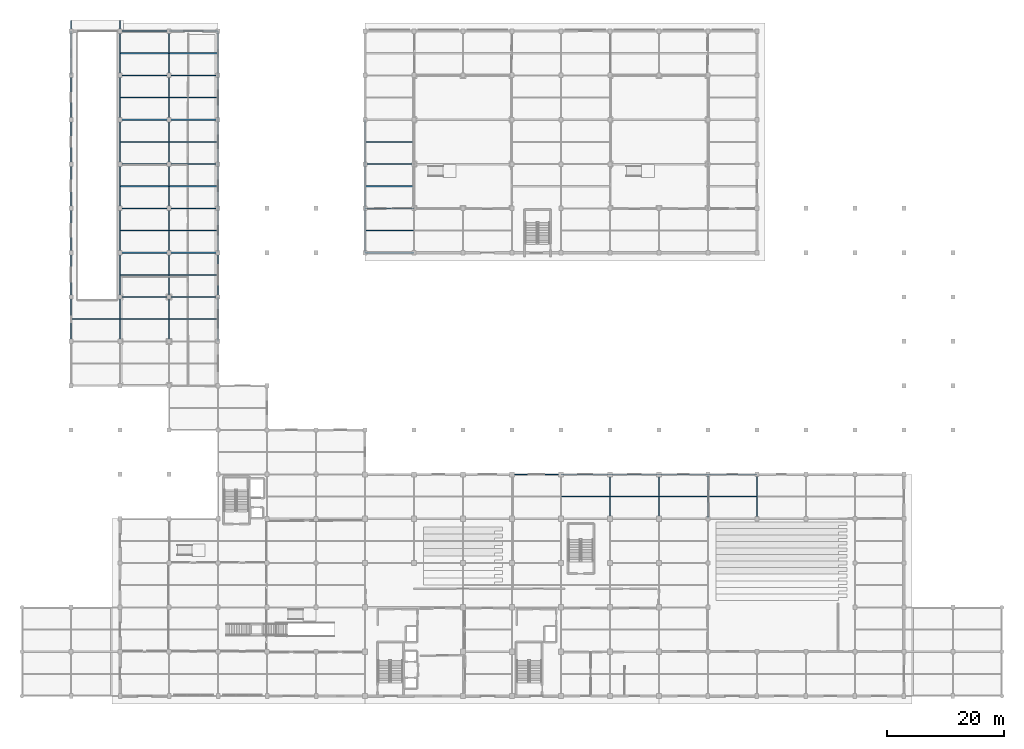
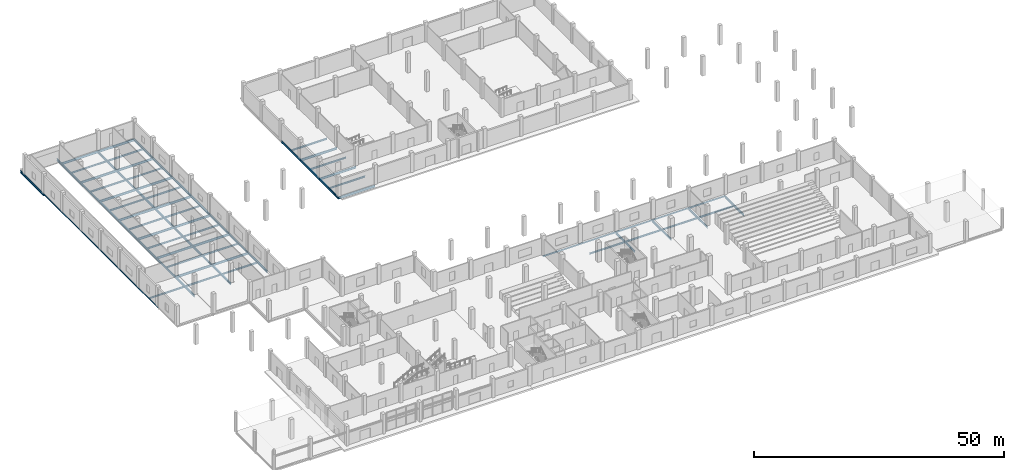
# One storey, part 8 of 36: 81 beams.
"""IFC4 building model written with IfcOpenShell, lengths in metres."""

from ifc_helpers import new_model, si_unit, direction, frame, origin, origin_2d, place, context, subcontext, project, spatial, hollow_rectangle, i_section, extrude, material, material_profile, profile_set, type_object, element, save


model = new_model("IFC4")

# Units and contexts
model_context = context("Model", 3, precision=1e-05, world=origin(), true_north=direction((0.0, 1.0)))
body_context = subcontext(model_context, "Body", "Model", "MODEL_VIEW")
ifc_project = project(units=[si_unit("LENGTHUNIT", "METRE"), si_unit("AREAUNIT", "SQUARE_METRE"), si_unit("VOLUMEUNIT", "CUBIC_METRE"), si_unit("PLANEANGLEUNIT", "RADIAN"), si_unit("MASSUNIT", "GRAM", prefix="KILO")], contexts=[model_context])

# Site, building, storey
site_placement = place(None, origin())
site = spatial("IfcSite", under=ifc_project, at=site_placement, CompositionType="ELEMENT")
building_placement = place(site_placement, origin())
building = spatial("IfcBuilding", under=site, at=building_placement, Name="Zuvorla Pavilion Media Centre", CompositionType="ELEMENT")
storey_placement = place(building_placement, origin())
storey = spatial("IfcBuildingStorey", under=building, at=storey_placement, Name="L00", CompositionType="ELEMENT", Elevation=0.0)

# Beams
ifc_material = material(Name="Steel S355", Category="steel")
ifc_material_profile_1 = material_profile(ifc_material, hollow_rectangle(XDim=0.14990234375, YDim=0.25, WallThickness=0.010009765625, at=origin_2d()), Name="RHS 250x150x10")
ifc_profile_set_1 = profile_set([ifc_material_profile_1], Name="Steel S355")
beam_type_1 = type_object("IfcBeamType", Name="BM-SP-RHS250", PredefinedType="SPANDREL", material=ifc_profile_set_1)
beam_1_placement = place(storey_placement, frame((16.39990234375, 66.800048828125, -0.452880859375), z_axis=(0.0, 1.0, 0.0), x_axis=(-1.0, 0.0, 0.0)))
element("IfcBeam", 1, at=beam_1_placement, inside=storey, type_object=beam_type_1, Name="L00 spandrel SP02 164", PredefinedType="SPANDREL", context=body_context, shape_type="SweptSolid", body=[
    extrude(hollow_rectangle(XDim=0.14990234375, YDim=0.25, WallThickness=0.010009765625, at=origin_2d()), origin(), (0.0, 0.0, 1.0), 7.599853515625),
])
for number, where, z_axis, x_axis, name in (
    (2, (16.39990234375, 74.39990234375, -0.452880859375), (0.0, 1.0, 0.0), (-1.0, 0.0, 0.0), "L00 spandrel SP02 165"),
    (3, (16.39990234375, 82.0, -0.452880859375), (0.0, 1.0, 0.0), (-1.0, 0.0, 0.0), "L00 spandrel SP02 166"),
):
    element("IfcBeam", number, at=place(storey_placement, frame(where, z_axis=z_axis, x_axis=x_axis)), inside=storey, type_object=beam_type_1, Name=name, PredefinedType="SPANDREL", context=body_context, shape_type="SweptSolid", body=[
        extrude(hollow_rectangle(XDim=0.14990234375, YDim=0.25, WallThickness=0.010009765625, at=origin_2d()), origin(), (0.0, 0.0, 1.0), 7.60009765625),
    ])
beam_2_placement = place(storey_placement, frame((16.39990234375, 89.60009765625, -0.452880859375), z_axis=(0.0, 1.0, 0.0), x_axis=(-1.0, 0.0, 0.0)))
element("IfcBeam", 4, at=beam_2_placement, inside=storey, type_object=beam_type_1, Name="L00 spandrel SP02 167", PredefinedType="SPANDREL", context=body_context, shape_type="SweptSolid", body=[
    extrude(hollow_rectangle(XDim=0.14990234375, YDim=0.25, WallThickness=0.010009765625, at=origin_2d()), origin(), (0.0, 0.0, 1.0), 7.599853515625),
])
beam_3_placement = place(storey_placement, frame((16.39990234375, 97.199951171875, -0.452880859375), z_axis=(0.0, 1.0, 0.0), x_axis=(-1.0, 0.0, 0.0)))
element("IfcBeam", 5, at=beam_3_placement, inside=storey, type_object=beam_type_1, Name="L00 spandrel SP02 168", PredefinedType="SPANDREL", context=body_context, shape_type="SweptSolid", body=[
    extrude(hollow_rectangle(XDim=0.14990234375, YDim=0.25, WallThickness=0.010009765625, at=origin_2d()), origin(), (0.0, 0.0, 1.0), 7.60009765625),
])
beam_4_placement = place(storey_placement, frame((16.39990234375, 104.800048828125, -0.452880859375), z_axis=(0.0, 1.0, 0.0), x_axis=(-1.0, 0.0, 0.0)))
element("IfcBeam", 6, at=beam_4_placement, inside=storey, type_object=beam_type_1, Name="L00 spandrel SP02 169", PredefinedType="SPANDREL", context=body_context, shape_type="SweptSolid", body=[
    extrude(hollow_rectangle(XDim=0.14990234375, YDim=0.25, WallThickness=0.010009765625, at=origin_2d()), origin(), (0.0, 0.0, 1.0), 7.599853515625),
])
ifc_material_profile_2 = material_profile(ifc_material, hollow_rectangle(XDim=0.199951171875, YDim=0.300048828125, WallThickness=0.012451171875, at=origin_2d()), Name="RHS 300x200x12.5")
ifc_profile_set_2 = profile_set([ifc_material_profile_2], Name="Steel S355")
beam_type_2 = type_object("IfcBeamType", Name="BM-SP-RHS300", PredefinedType="SPANDREL", material=ifc_profile_set_2)
beam_5_placement = place(storey_placement, frame((92.0, 44.0, -0.577880859375), z_axis=(1.0, 0.0, 0.0), x_axis=(0.0, 1.0, 0.0)))
element("IfcBeam", 7, at=beam_5_placement, inside=storey, type_object=beam_type_2, Name="L00 spandrel SP01 84", PredefinedType="SPANDREL", context=body_context, shape_type="SweptSolid", body=[
    extrude(hollow_rectangle(XDim=0.199951171875, YDim=0.300048828125, WallThickness=0.012451171875, at=origin_2d()), origin(), (0.0, 0.0, 1.0), 8.39990234375),
])
beam_6_placement = place(storey_placement, frame((100.39990234375, 44.0, -0.577880859375), z_axis=(1.0, 0.0, 0.0), x_axis=(0.0, 1.0, 0.0)))
element("IfcBeam", 8, at=beam_6_placement, inside=storey, type_object=beam_type_2, Name="L00 spandrel SP01 85", PredefinedType="SPANDREL", context=body_context, shape_type="SweptSolid", body=[
    extrude(hollow_rectangle(XDim=0.199951171875, YDim=0.300048828125, WallThickness=0.012451171875, at=origin_2d()), origin(), (0.0, 0.0, 1.0), 8.400146484375),
])
beam_7_placement = place(storey_placement, frame((108.800048828125, 44.0, -0.577880859375), z_axis=(1.0, 0.0, 0.0), x_axis=(0.0, 1.0, 0.0)))
element("IfcBeam", 9, at=beam_7_placement, inside=storey, type_object=beam_type_2, Name="L00 spandrel SP01 86", PredefinedType="SPANDREL", context=body_context, shape_type="SweptSolid", body=[
    extrude(hollow_rectangle(XDim=0.199951171875, YDim=0.300048828125, WallThickness=0.012451171875, at=origin_2d()), origin(), (0.0, 0.0, 1.0), 8.39990234375),
])
beam_8_placement = place(storey_placement, frame((117.199951171875, 44.0, -0.577880859375), z_axis=(1.0, 0.0, 0.0), x_axis=(0.0, 1.0, 0.0)))
element("IfcBeam", 10, at=beam_8_placement, inside=storey, type_object=beam_type_2, Name="L00 spandrel SP01 87", PredefinedType="SPANDREL", context=body_context, shape_type="SweptSolid", body=[
    extrude(hollow_rectangle(XDim=0.199951171875, YDim=0.300048828125, WallThickness=0.012451171875, at=origin_2d()), origin(), (0.0, 0.0, 1.0), 8.400146484375),
])
beam_9_placement = place(storey_placement, frame((125.60009765625, 44.0, -0.577880859375), z_axis=(1.0, 0.0, 0.0), x_axis=(0.0, 1.0, 0.0)))
element("IfcBeam", 11, at=beam_9_placement, inside=storey, type_object=beam_type_2, Name="L00 spandrel SP01 88", PredefinedType="SPANDREL", context=body_context, shape_type="SweptSolid", body=[
    extrude(hollow_rectangle(XDim=0.199951171875, YDim=0.300048828125, WallThickness=0.012451171875, at=origin_2d()), origin(), (0.0, 0.0, 1.0), 8.39990234375),
])
ifc_material_profile_3 = material_profile(ifc_material, i_section(OverallWidth=0.1787109375, OverallDepth=0.409423828125, WebThickness=0.0087890625, FlangeThickness=0.014404296875, FilletRadius=0.01025390625, at=origin_2d()), Name="UB 406x178x67")
ifc_profile_set_3 = profile_set([ifc_material_profile_3], Name="Steel S355")
beam_type_3 = type_object("IfcBeamType", Name="BM-UB406", PredefinedType="JOIST", material=ifc_profile_set_3)
beam_10_placement = place(storey_placement, frame((16.47998046875, 70.60009765625, -0.53271484375), z_axis=(1.0, 0.0, 0.0), x_axis=(0.0, 1.0, 0.0)))
element("IfcBeam", 12, at=beam_10_placement, inside=storey, type_object=beam_type_3, Name="L00 joist J02 322", PredefinedType="JOIST", context=body_context, shape_type="SweptSolid", body=[
    extrude(i_section(OverallWidth=0.1787109375, OverallDepth=0.409423828125, WebThickness=0.0087890625, FlangeThickness=0.014404296875, FilletRadius=0.01025390625, at=origin_2d()), origin(), (0.0, 0.0, 1.0), 8.219970703125),
])
for number, where, z_axis, x_axis, name in (
    (13, (24.89990234375, 70.60009765625, -0.53271484375), (1.0, 0.0, 0.0), (0.0, 1.0, 0.0), "L00 joist J02 328"),
    (14, (24.89990234375, 78.199951171875, -0.53271484375), (1.0, 0.0, 0.0), (0.0, 1.0, 0.0), "L00 joist J02 329"),
    (15, (24.89990234375, 85.800048828125, -0.53271484375), (1.0, 0.0, 0.0), (0.0, 1.0, 0.0), "L00 joist J02 330"),
    (16, (24.89990234375, 93.39990234375, -0.53271484375), (1.0, 0.0, 0.0), (0.0, 1.0, 0.0), "L00 joist J02 331"),
    (17, (24.89990234375, 101.0, -0.53271484375), (1.0, 0.0, 0.0), (0.0, 1.0, 0.0), "L00 joist J02 332"),
    (18, (24.89990234375, 108.60009765625, -0.53271484375), (1.0, 0.0, 0.0), (0.0, 1.0, 0.0), "L00 joist J02 333"),
    (19, (24.89990234375, 116.199951171875, -0.53271484375), (1.0, 0.0, 0.0), (0.0, 1.0, 0.0), "L00 joist J02 334"),
):
    element("IfcBeam", number, at=place(storey_placement, frame(where, z_axis=z_axis, x_axis=x_axis)), inside=storey, type_object=beam_type_3, Name=name, PredefinedType="JOIST", context=body_context, shape_type="SweptSolid", body=[
        extrude(i_section(OverallWidth=0.1787109375, OverallDepth=0.409423828125, WebThickness=0.0087890625, FlangeThickness=0.014404296875, FilletRadius=0.01025390625, at=origin_2d()), origin(), (0.0, 0.0, 1.0), 8.2001953125),
    ])
for number, where, z_axis, x_axis, name in (
    (20, (33.300048828125, 70.60009765625, -0.53271484375), (1.0, 0.0, 0.0), (0.0, 1.0, 0.0), "L00 joist J02 341"),
    (21, (33.300048828125, 78.199951171875, -0.53271484375), (1.0, 0.0, 0.0), (0.0, 1.0, 0.0), "L00 joist J02 342"),
    (22, (33.300048828125, 85.800048828125, -0.53271484375), (1.0, 0.0, 0.0), (0.0, 1.0, 0.0), "L00 joist J02 343"),
    (23, (33.300048828125, 93.39990234375, -0.53271484375), (1.0, 0.0, 0.0), (0.0, 1.0, 0.0), "L00 joist J02 344"),
    (24, (33.300048828125, 101.0, -0.53271484375), (1.0, 0.0, 0.0), (0.0, 1.0, 0.0), "L00 joist J02 345"),
    (25, (33.300048828125, 108.60009765625, -0.53271484375), (1.0, 0.0, 0.0), (0.0, 1.0, 0.0), "L00 joist J02 346"),
    (26, (33.300048828125, 116.199951171875, -0.53271484375), (1.0, 0.0, 0.0), (0.0, 1.0, 0.0), "L00 joist J02 347"),
):
    element("IfcBeam", number, at=place(storey_placement, frame(where, z_axis=z_axis, x_axis=x_axis)), inside=storey, type_object=beam_type_3, Name=name, PredefinedType="JOIST", context=body_context, shape_type="SweptSolid", body=[
        extrude(i_section(OverallWidth=0.1787109375, OverallDepth=0.409423828125, WebThickness=0.0087890625, FlangeThickness=0.014404296875, FilletRadius=0.01025390625, at=origin_2d()), origin(), (0.0, 0.0, 1.0), 8.199951171875),
    ])
for number, where, z_axis, x_axis, name in (
    (27, (66.89990234375, 85.800048828125, -0.53271484375), (1.0, 0.0, 0.0), (0.0, 1.0, 0.0), "L00 joist J02 365"),
    (28, (66.89990234375, 93.39990234375, -0.53271484375), (1.0, 0.0, 0.0), (0.0, 1.0, 0.0), "L00 joist J02 366"),
    (29, (66.89990234375, 101.0, -0.53271484375), (1.0, 0.0, 0.0), (0.0, 1.0, 0.0), "L00 joist J02 367"),
):
    element("IfcBeam", number, at=place(storey_placement, frame(where, z_axis=z_axis, x_axis=x_axis)), inside=storey, type_object=beam_type_3, Name=name, PredefinedType="JOIST", context=body_context, shape_type="SweptSolid", body=[
        extrude(i_section(OverallWidth=0.1787109375, OverallDepth=0.409423828125, WebThickness=0.0087890625, FlangeThickness=0.014404296875, FilletRadius=0.01025390625, at=origin_2d()), origin(), (0.0, 0.0, 1.0), 8.2001953125),
    ])
beam_11_placement = place(storey_placement, frame((100.5, 40.199951171875, -0.6328125), z_axis=(1.0, 0.0, 0.0), x_axis=(0.0, 1.0, 0.0)))
element("IfcBeam", 30, at=beam_11_placement, inside=storey, type_object=beam_type_3, Name="L00 joist J02 391", PredefinedType="JOIST", context=body_context, shape_type="SweptSolid", body=[
    extrude(i_section(OverallWidth=0.1787109375, OverallDepth=0.409423828125, WebThickness=0.0087890625, FlangeThickness=0.014404296875, FilletRadius=0.01025390625, at=origin_2d()), origin(), (0.0, 0.0, 1.0), 8.199951171875),
])
beam_12_placement = place(storey_placement, frame((108.89990234375, 40.199951171875, -0.6328125), z_axis=(1.0, 0.0, 0.0), x_axis=(0.0, 1.0, 0.0)))
element("IfcBeam", 31, at=beam_12_placement, inside=storey, type_object=beam_type_3, Name="L00 joist J02 401", PredefinedType="JOIST", context=body_context, shape_type="SweptSolid", body=[
    extrude(i_section(OverallWidth=0.1787109375, OverallDepth=0.409423828125, WebThickness=0.0087890625, FlangeThickness=0.014404296875, FilletRadius=0.01025390625, at=origin_2d()), origin(), (0.0, 0.0, 1.0), 8.2001953125),
])
for number, where, z_axis, x_axis, name in (
    (32, (117.300048828125, 40.199951171875, -0.6328125), (1.0, 0.0, 0.0), (0.0, 1.0, 0.0), "L00 joist J02 408"),
    (33, (125.699951171875, 40.199951171875, -0.6328125), (1.0, 0.0, 0.0), (0.0, 1.0, 0.0), "L00 joist J02 412"),
):
    element("IfcBeam", number, at=place(storey_placement, frame(where, z_axis=z_axis, x_axis=x_axis)), inside=storey, type_object=beam_type_3, Name=name, PredefinedType="JOIST", context=body_context, shape_type="SweptSolid", body=[
        extrude(i_section(OverallWidth=0.1787109375, OverallDepth=0.409423828125, WebThickness=0.0087890625, FlangeThickness=0.014404296875, FilletRadius=0.01025390625, at=origin_2d()), origin(), (0.0, 0.0, 1.0), 8.199951171875),
    ])
ifc_material_profile_4 = material_profile(ifc_material, i_section(OverallWidth=0.2099609375, OverallDepth=0.53662109375, WebThickness=0.0107421875, FlangeThickness=0.017333984375, FilletRadius=0.0126953125, at=origin_2d()), Name="UB 533x210x101")
ifc_profile_set_4 = profile_set([ifc_material_profile_4], Name="Steel S355")
beam_type_4 = type_object("IfcBeamType", Name="BM-UB533", PredefinedType="BEAM", material=ifc_profile_set_4)
beam_13_placement = place(storey_placement, frame((24.800048828125, 74.39990234375, -0.59619140625), z_axis=(1.0, 0.0, 0.0), x_axis=(0.0, 1.0, 0.0)))
element("IfcBeam", 34, at=beam_13_placement, inside=storey, type_object=beam_type_4, Name="L00 beam B08 103", PredefinedType="BEAM", context=body_context, shape_type="SweptSolid", body=[
    extrude(i_section(OverallWidth=0.2099609375, OverallDepth=0.53662109375, WebThickness=0.0107421875, FlangeThickness=0.017333984375, FilletRadius=0.0126953125, at=origin_2d()), origin(), (0.0, 0.0, 1.0), 8.39990234375),
])
beam_14_placement = place(storey_placement, frame((33.199951171875, 74.39990234375, -0.59619140625), z_axis=(1.0, 0.0, 0.0), x_axis=(0.0, 1.0, 0.0)))
element("IfcBeam", 35, at=beam_14_placement, inside=storey, type_object=beam_type_4, Name="L00 beam B08 104", PredefinedType="BEAM", context=body_context, shape_type="SweptSolid", body=[
    extrude(i_section(OverallWidth=0.2099609375, OverallDepth=0.53662109375, WebThickness=0.0107421875, FlangeThickness=0.017333984375, FilletRadius=0.0126953125, at=origin_2d()), origin(), (0.0, 0.0, 1.0), 8.400146484375),
])
beam_15_placement = place(storey_placement, frame((24.800048828125, 82.0, -0.59619140625), z_axis=(1.0, 0.0, 0.0), x_axis=(0.0, 1.0, 0.0)))
element("IfcBeam", 36, at=beam_15_placement, inside=storey, type_object=beam_type_4, Name="L00 beam B08 105", PredefinedType="BEAM", context=body_context, shape_type="SweptSolid", body=[
    extrude(i_section(OverallWidth=0.2099609375, OverallDepth=0.53662109375, WebThickness=0.0107421875, FlangeThickness=0.017333984375, FilletRadius=0.0126953125, at=origin_2d()), origin(), (0.0, 0.0, 1.0), 8.39990234375),
])
beam_16_placement = place(storey_placement, frame((33.199951171875, 82.0, -0.59619140625), z_axis=(1.0, 0.0, 0.0), x_axis=(0.0, 1.0, 0.0)))
element("IfcBeam", 37, at=beam_16_placement, inside=storey, type_object=beam_type_4, Name="L00 beam B08 106", PredefinedType="BEAM", context=body_context, shape_type="SweptSolid", body=[
    extrude(i_section(OverallWidth=0.2099609375, OverallDepth=0.53662109375, WebThickness=0.0107421875, FlangeThickness=0.017333984375, FilletRadius=0.0126953125, at=origin_2d()), origin(), (0.0, 0.0, 1.0), 8.400146484375),
])
for number, where, z_axis, x_axis, name in (
    (38, (66.800048828125, 82.0, -0.59619140625), (1.0, 0.0, 0.0), (0.0, 1.0, 0.0), "L00 beam B08 107"),
    (39, (24.800048828125, 89.60009765625, -0.59619140625), (1.0, 0.0, 0.0), (0.0, 1.0, 0.0), "L00 beam B08 114"),
):
    element("IfcBeam", number, at=place(storey_placement, frame(where, z_axis=z_axis, x_axis=x_axis)), inside=storey, type_object=beam_type_4, Name=name, PredefinedType="BEAM", context=body_context, shape_type="SweptSolid", body=[
        extrude(i_section(OverallWidth=0.2099609375, OverallDepth=0.53662109375, WebThickness=0.0107421875, FlangeThickness=0.017333984375, FilletRadius=0.0126953125, at=origin_2d()), origin(), (0.0, 0.0, 1.0), 8.39990234375),
    ])
beam_17_placement = place(storey_placement, frame((33.199951171875, 89.60009765625, -0.59619140625), z_axis=(1.0, 0.0, 0.0), x_axis=(0.0, 1.0, 0.0)))
element("IfcBeam", 40, at=beam_17_placement, inside=storey, type_object=beam_type_4, Name="L00 beam B08 115", PredefinedType="BEAM", context=body_context, shape_type="SweptSolid", body=[
    extrude(i_section(OverallWidth=0.2099609375, OverallDepth=0.53662109375, WebThickness=0.0107421875, FlangeThickness=0.017333984375, FilletRadius=0.0126953125, at=origin_2d()), origin(), (0.0, 0.0, 1.0), 8.400146484375),
])
for number, where, z_axis, x_axis, name in (
    (41, (66.800048828125, 89.60009765625, -0.59619140625), (1.0, 0.0, 0.0), (0.0, 1.0, 0.0), "L00 beam B08 116"),
    (42, (24.800048828125, 97.199951171875, -0.59619140625), (1.0, 0.0, 0.0), (0.0, 1.0, 0.0), "L00 beam B08 123"),
):
    element("IfcBeam", number, at=place(storey_placement, frame(where, z_axis=z_axis, x_axis=x_axis)), inside=storey, type_object=beam_type_4, Name=name, PredefinedType="BEAM", context=body_context, shape_type="SweptSolid", body=[
        extrude(i_section(OverallWidth=0.2099609375, OverallDepth=0.53662109375, WebThickness=0.0107421875, FlangeThickness=0.017333984375, FilletRadius=0.0126953125, at=origin_2d()), origin(), (0.0, 0.0, 1.0), 8.39990234375),
    ])
beam_18_placement = place(storey_placement, frame((33.199951171875, 97.199951171875, -0.59619140625), z_axis=(1.0, 0.0, 0.0), x_axis=(0.0, 1.0, 0.0)))
element("IfcBeam", 43, at=beam_18_placement, inside=storey, type_object=beam_type_4, Name="L00 beam B08 124", PredefinedType="BEAM", context=body_context, shape_type="SweptSolid", body=[
    extrude(i_section(OverallWidth=0.2099609375, OverallDepth=0.53662109375, WebThickness=0.0107421875, FlangeThickness=0.017333984375, FilletRadius=0.0126953125, at=origin_2d()), origin(), (0.0, 0.0, 1.0), 8.400146484375),
])
for number, where, z_axis, x_axis, name in (
    (44, (66.800048828125, 97.199951171875, -0.59619140625), (1.0, 0.0, 0.0), (0.0, 1.0, 0.0), "L00 beam B08 125"),
    (45, (24.800048828125, 104.800048828125, -0.59619140625), (1.0, 0.0, 0.0), (0.0, 1.0, 0.0), "L00 beam B08 131"),
):
    element("IfcBeam", number, at=place(storey_placement, frame(where, z_axis=z_axis, x_axis=x_axis)), inside=storey, type_object=beam_type_4, Name=name, PredefinedType="BEAM", context=body_context, shape_type="SweptSolid", body=[
        extrude(i_section(OverallWidth=0.2099609375, OverallDepth=0.53662109375, WebThickness=0.0107421875, FlangeThickness=0.017333984375, FilletRadius=0.0126953125, at=origin_2d()), origin(), (0.0, 0.0, 1.0), 8.39990234375),
    ])
beam_19_placement = place(storey_placement, frame((33.199951171875, 104.800048828125, -0.59619140625), z_axis=(1.0, 0.0, 0.0), x_axis=(0.0, 1.0, 0.0)))
element("IfcBeam", 46, at=beam_19_placement, inside=storey, type_object=beam_type_4, Name="L00 beam B08 132", PredefinedType="BEAM", context=body_context, shape_type="SweptSolid", body=[
    extrude(i_section(OverallWidth=0.2099609375, OverallDepth=0.53662109375, WebThickness=0.0107421875, FlangeThickness=0.017333984375, FilletRadius=0.0126953125, at=origin_2d()), origin(), (0.0, 0.0, 1.0), 8.400146484375),
])
beam_20_placement = place(storey_placement, frame((24.800048828125, 112.39990234375, -0.59619140625), z_axis=(1.0, 0.0, 0.0), x_axis=(0.0, 1.0, 0.0)))
element("IfcBeam", 47, at=beam_20_placement, inside=storey, type_object=beam_type_4, Name="L00 beam B08 139", PredefinedType="BEAM", context=body_context, shape_type="SweptSolid", body=[
    extrude(i_section(OverallWidth=0.2099609375, OverallDepth=0.53662109375, WebThickness=0.0107421875, FlangeThickness=0.017333984375, FilletRadius=0.0126953125, at=origin_2d()), origin(), (0.0, 0.0, 1.0), 8.39990234375),
])
beam_21_placement = place(storey_placement, frame((33.199951171875, 112.39990234375, -0.59619140625), z_axis=(1.0, 0.0, 0.0), x_axis=(0.0, 1.0, 0.0)))
element("IfcBeam", 48, at=beam_21_placement, inside=storey, type_object=beam_type_4, Name="L00 beam B08 140", PredefinedType="BEAM", context=body_context, shape_type="SweptSolid", body=[
    extrude(i_section(OverallWidth=0.2099609375, OverallDepth=0.53662109375, WebThickness=0.0107421875, FlangeThickness=0.017333984375, FilletRadius=0.0126953125, at=origin_2d()), origin(), (0.0, 0.0, 1.0), 8.400146484375),
])
beam_22_placement = place(storey_placement, frame((24.800048828125, 120.0, -0.59619140625), z_axis=(1.0, 0.0, 0.0), x_axis=(0.0, 1.0, 0.0)))
element("IfcBeam", 49, at=beam_22_placement, inside=storey, type_object=beam_type_4, Name="L00 beam B08 149", PredefinedType="BEAM", context=body_context, shape_type="SweptSolid", body=[
    extrude(i_section(OverallWidth=0.2099609375, OverallDepth=0.53662109375, WebThickness=0.0107421875, FlangeThickness=0.017333984375, FilletRadius=0.0126953125, at=origin_2d()), origin(), (0.0, 0.0, 1.0), 8.39990234375),
])
beam_23_placement = place(storey_placement, frame((33.199951171875, 120.0, -0.59619140625), z_axis=(1.0, 0.0, 0.0), x_axis=(0.0, 1.0, 0.0)))
element("IfcBeam", 50, at=beam_23_placement, inside=storey, type_object=beam_type_4, Name="L00 beam B08 150", PredefinedType="BEAM", context=body_context, shape_type="SweptSolid", body=[
    extrude(i_section(OverallWidth=0.2099609375, OverallDepth=0.53662109375, WebThickness=0.0107421875, FlangeThickness=0.017333984375, FilletRadius=0.0126953125, at=origin_2d()), origin(), (0.0, 0.0, 1.0), 8.400146484375),
])
beam_24_placement = place(storey_placement, frame((24.800048828125, 66.800048828125, -0.59619140625), z_axis=(0.0, 1.0, 0.0), x_axis=(-1.0, 0.0, 0.0)))
element("IfcBeam", 51, at=beam_24_placement, inside=storey, type_object=beam_type_4, Name="L00 beam B08 176", PredefinedType="BEAM", context=body_context, shape_type="SweptSolid", body=[
    extrude(i_section(OverallWidth=0.2099609375, OverallDepth=0.53662109375, WebThickness=0.0107421875, FlangeThickness=0.017333984375, FilletRadius=0.0126953125, at=origin_2d()), origin(), (0.0, 0.0, 1.0), 7.599853515625),
])
for number, where, z_axis, x_axis, name in (
    (52, (24.800048828125, 74.39990234375, -0.59619140625), (0.0, 1.0, 0.0), (-1.0, 0.0, 0.0), "L00 beam B08 177"),
    (53, (24.800048828125, 82.0, -0.59619140625), (0.0, 1.0, 0.0), (-1.0, 0.0, 0.0), "L00 beam B08 178"),
):
    element("IfcBeam", number, at=place(storey_placement, frame(where, z_axis=z_axis, x_axis=x_axis)), inside=storey, type_object=beam_type_4, Name=name, PredefinedType="BEAM", context=body_context, shape_type="SweptSolid", body=[
        extrude(i_section(OverallWidth=0.2099609375, OverallDepth=0.53662109375, WebThickness=0.0107421875, FlangeThickness=0.017333984375, FilletRadius=0.0126953125, at=origin_2d()), origin(), (0.0, 0.0, 1.0), 7.60009765625),
    ])
beam_25_placement = place(storey_placement, frame((24.800048828125, 89.60009765625, -0.59619140625), z_axis=(0.0, 1.0, 0.0), x_axis=(-1.0, 0.0, 0.0)))
element("IfcBeam", 54, at=beam_25_placement, inside=storey, type_object=beam_type_4, Name="L00 beam B08 179", PredefinedType="BEAM", context=body_context, shape_type="SweptSolid", body=[
    extrude(i_section(OverallWidth=0.2099609375, OverallDepth=0.53662109375, WebThickness=0.0107421875, FlangeThickness=0.017333984375, FilletRadius=0.0126953125, at=origin_2d()), origin(), (0.0, 0.0, 1.0), 7.599853515625),
])
beam_26_placement = place(storey_placement, frame((24.800048828125, 97.199951171875, -0.59619140625), z_axis=(0.0, 1.0, 0.0), x_axis=(-1.0, 0.0, 0.0)))
element("IfcBeam", 55, at=beam_26_placement, inside=storey, type_object=beam_type_4, Name="L00 beam B08 180", PredefinedType="BEAM", context=body_context, shape_type="SweptSolid", body=[
    extrude(i_section(OverallWidth=0.2099609375, OverallDepth=0.53662109375, WebThickness=0.0107421875, FlangeThickness=0.017333984375, FilletRadius=0.0126953125, at=origin_2d()), origin(), (0.0, 0.0, 1.0), 7.60009765625),
])
for number, where, z_axis, x_axis, name in (
    (56, (24.800048828125, 104.800048828125, -0.59619140625), (0.0, 1.0, 0.0), (-1.0, 0.0, 0.0), "L00 beam B08 181"),
    (57, (33.199951171875, 66.800048828125, -0.59619140625), (0.0, 1.0, 0.0), (-1.0, 0.0, 0.0), "L00 beam B08 189"),
):
    element("IfcBeam", number, at=place(storey_placement, frame(where, z_axis=z_axis, x_axis=x_axis)), inside=storey, type_object=beam_type_4, Name=name, PredefinedType="BEAM", context=body_context, shape_type="SweptSolid", body=[
        extrude(i_section(OverallWidth=0.2099609375, OverallDepth=0.53662109375, WebThickness=0.0107421875, FlangeThickness=0.017333984375, FilletRadius=0.0126953125, at=origin_2d()), origin(), (0.0, 0.0, 1.0), 7.599853515625),
    ])
for number, where, z_axis, x_axis, name in (
    (58, (33.199951171875, 74.39990234375, -0.59619140625), (0.0, 1.0, 0.0), (-1.0, 0.0, 0.0), "L00 beam B08 190"),
    (59, (33.199951171875, 82.0, -0.59619140625), (0.0, 1.0, 0.0), (-1.0, 0.0, 0.0), "L00 beam B08 191"),
):
    element("IfcBeam", number, at=place(storey_placement, frame(where, z_axis=z_axis, x_axis=x_axis)), inside=storey, type_object=beam_type_4, Name=name, PredefinedType="BEAM", context=body_context, shape_type="SweptSolid", body=[
        extrude(i_section(OverallWidth=0.2099609375, OverallDepth=0.53662109375, WebThickness=0.0107421875, FlangeThickness=0.017333984375, FilletRadius=0.0126953125, at=origin_2d()), origin(), (0.0, 0.0, 1.0), 7.60009765625),
    ])
beam_27_placement = place(storey_placement, frame((33.199951171875, 89.60009765625, -0.59619140625), z_axis=(0.0, 1.0, 0.0), x_axis=(-1.0, 0.0, 0.0)))
element("IfcBeam", 60, at=beam_27_placement, inside=storey, type_object=beam_type_4, Name="L00 beam B08 192", PredefinedType="BEAM", context=body_context, shape_type="SweptSolid", body=[
    extrude(i_section(OverallWidth=0.2099609375, OverallDepth=0.53662109375, WebThickness=0.0107421875, FlangeThickness=0.017333984375, FilletRadius=0.0126953125, at=origin_2d()), origin(), (0.0, 0.0, 1.0), 7.599853515625),
])
beam_28_placement = place(storey_placement, frame((33.199951171875, 97.199951171875, -0.59619140625), z_axis=(0.0, 1.0, 0.0), x_axis=(-1.0, 0.0, 0.0)))
element("IfcBeam", 61, at=beam_28_placement, inside=storey, type_object=beam_type_4, Name="L00 beam B08 193", PredefinedType="BEAM", context=body_context, shape_type="SweptSolid", body=[
    extrude(i_section(OverallWidth=0.2099609375, OverallDepth=0.53662109375, WebThickness=0.0107421875, FlangeThickness=0.017333984375, FilletRadius=0.0126953125, at=origin_2d()), origin(), (0.0, 0.0, 1.0), 7.60009765625),
])
beam_29_placement = place(storey_placement, frame((33.199951171875, 104.800048828125, -0.59619140625), z_axis=(0.0, 1.0, 0.0), x_axis=(-1.0, 0.0, 0.0)))
element("IfcBeam", 62, at=beam_29_placement, inside=storey, type_object=beam_type_4, Name="L00 beam B08 194", PredefinedType="BEAM", context=body_context, shape_type="SweptSolid", body=[
    extrude(i_section(OverallWidth=0.2099609375, OverallDepth=0.53662109375, WebThickness=0.0107421875, FlangeThickness=0.017333984375, FilletRadius=0.0126953125, at=origin_2d()), origin(), (0.0, 0.0, 1.0), 7.599853515625),
])
beam_30_placement = place(storey_placement, frame((33.199951171875, 112.39990234375, -0.59619140625), z_axis=(0.0, 1.0, 0.0), x_axis=(-1.0, 0.0, 0.0)))
element("IfcBeam", 63, at=beam_30_placement, inside=storey, type_object=beam_type_4, Name="L00 beam B08 195", PredefinedType="BEAM", context=body_context, shape_type="SweptSolid", body=[
    extrude(i_section(OverallWidth=0.2099609375, OverallDepth=0.53662109375, WebThickness=0.0107421875, FlangeThickness=0.017333984375, FilletRadius=0.0126953125, at=origin_2d()), origin(), (0.0, 0.0, 1.0), 7.60009765625),
])
beam_31_placement = place(storey_placement, frame((41.60009765625, 66.800048828125, -0.59619140625), z_axis=(0.0, 1.0, 0.0), x_axis=(-1.0, 0.0, 0.0)))
element("IfcBeam", 64, at=beam_31_placement, inside=storey, type_object=beam_type_4, Name="L00 beam B08 204", PredefinedType="BEAM", context=body_context, shape_type="SweptSolid", body=[
    extrude(i_section(OverallWidth=0.2099609375, OverallDepth=0.53662109375, WebThickness=0.0107421875, FlangeThickness=0.017333984375, FilletRadius=0.0126953125, at=origin_2d()), origin(), (0.0, 0.0, 1.0), 7.599853515625),
])
for number, where, z_axis, x_axis, name in (
    (65, (41.60009765625, 74.39990234375, -0.59619140625), (0.0, 1.0, 0.0), (-1.0, 0.0, 0.0), "L00 beam B08 205"),
    (66, (41.60009765625, 82.0, -0.59619140625), (0.0, 1.0, 0.0), (-1.0, 0.0, 0.0), "L00 beam B08 206"),
):
    element("IfcBeam", number, at=place(storey_placement, frame(where, z_axis=z_axis, x_axis=x_axis)), inside=storey, type_object=beam_type_4, Name=name, PredefinedType="BEAM", context=body_context, shape_type="SweptSolid", body=[
        extrude(i_section(OverallWidth=0.2099609375, OverallDepth=0.53662109375, WebThickness=0.0107421875, FlangeThickness=0.017333984375, FilletRadius=0.0126953125, at=origin_2d()), origin(), (0.0, 0.0, 1.0), 7.60009765625),
    ])
beam_32_placement = place(storey_placement, frame((41.60009765625, 89.60009765625, -0.59619140625), z_axis=(0.0, 1.0, 0.0), x_axis=(-1.0, 0.0, 0.0)))
element("IfcBeam", 67, at=beam_32_placement, inside=storey, type_object=beam_type_4, Name="L00 beam B08 207", PredefinedType="BEAM", context=body_context, shape_type="SweptSolid", body=[
    extrude(i_section(OverallWidth=0.2099609375, OverallDepth=0.53662109375, WebThickness=0.0107421875, FlangeThickness=0.017333984375, FilletRadius=0.0126953125, at=origin_2d()), origin(), (0.0, 0.0, 1.0), 7.599853515625),
])
beam_33_placement = place(storey_placement, frame((41.60009765625, 97.199951171875, -0.59619140625), z_axis=(0.0, 1.0, 0.0), x_axis=(-1.0, 0.0, 0.0)))
element("IfcBeam", 68, at=beam_33_placement, inside=storey, type_object=beam_type_4, Name="L00 beam B08 208", PredefinedType="BEAM", context=body_context, shape_type="SweptSolid", body=[
    extrude(i_section(OverallWidth=0.2099609375, OverallDepth=0.53662109375, WebThickness=0.0107421875, FlangeThickness=0.017333984375, FilletRadius=0.0126953125, at=origin_2d()), origin(), (0.0, 0.0, 1.0), 7.60009765625),
])
beam_34_placement = place(storey_placement, frame((41.60009765625, 104.800048828125, -0.59619140625), z_axis=(0.0, 1.0, 0.0), x_axis=(-1.0, 0.0, 0.0)))
element("IfcBeam", 69, at=beam_34_placement, inside=storey, type_object=beam_type_4, Name="L00 beam B08 209", PredefinedType="BEAM", context=body_context, shape_type="SweptSolid", body=[
    extrude(i_section(OverallWidth=0.2099609375, OverallDepth=0.53662109375, WebThickness=0.0107421875, FlangeThickness=0.017333984375, FilletRadius=0.0126953125, at=origin_2d()), origin(), (0.0, 0.0, 1.0), 7.599853515625),
])
for number, where, z_axis, x_axis, name in (
    (70, (41.60009765625, 112.39990234375, -0.59619140625), (0.0, 1.0, 0.0), (-1.0, 0.0, 0.0), "L00 beam B08 210"),
    (71, (66.800048828125, 82.0, -0.59619140625), (0.0, 1.0, 0.0), (-1.0, 0.0, 0.0), "L00 beam B08 228"),
):
    element("IfcBeam", number, at=place(storey_placement, frame(where, z_axis=z_axis, x_axis=x_axis)), inside=storey, type_object=beam_type_4, Name=name, PredefinedType="BEAM", context=body_context, shape_type="SweptSolid", body=[
        extrude(i_section(OverallWidth=0.2099609375, OverallDepth=0.53662109375, WebThickness=0.0107421875, FlangeThickness=0.017333984375, FilletRadius=0.0126953125, at=origin_2d()), origin(), (0.0, 0.0, 1.0), 7.60009765625),
    ])
beam_35_placement = place(storey_placement, frame((66.800048828125, 89.60009765625, -0.59619140625), z_axis=(0.0, 1.0, 0.0), x_axis=(-1.0, 0.0, 0.0)))
element("IfcBeam", 72, at=beam_35_placement, inside=storey, type_object=beam_type_4, Name="L00 beam B08 229", PredefinedType="BEAM", context=body_context, shape_type="SweptSolid", body=[
    extrude(i_section(OverallWidth=0.2099609375, OverallDepth=0.53662109375, WebThickness=0.0107421875, FlangeThickness=0.017333984375, FilletRadius=0.0126953125, at=origin_2d()), origin(), (0.0, 0.0, 1.0), 7.599853515625),
])
for number, where, z_axis, x_axis, name in (
    (73, (66.800048828125, 97.199951171875, -0.59619140625), (0.0, 1.0, 0.0), (-1.0, 0.0, 0.0), "L00 beam B08 230"),
    (74, (108.800048828125, 36.39990234375, -0.6962890625), (0.0, 1.0, 0.0), (-1.0, 0.0, 0.0), "L00 beam B08 271"),
    (75, (117.199951171875, 36.39990234375, -0.6962890625), (0.0, 1.0, 0.0), (-1.0, 0.0, 0.0), "L00 beam B08 281"),
    (76, (125.60009765625, 36.39990234375, -0.6962890625), (0.0, 1.0, 0.0), (-1.0, 0.0, 0.0), "L00 beam B08 288"),
    (77, (134.0, 36.39990234375, -0.6962890625), (0.0, 1.0, 0.0), (-1.0, 0.0, 0.0), "L00 beam B08 295"),
    (78, (16.39990234375, 112.39990234375, -0.59619140625), (0.0, 1.0, 0.0), (-1.0, 0.0, 0.0), "L00 beam B08 1657"),
):
    element("IfcBeam", number, at=place(storey_placement, frame(where, z_axis=z_axis, x_axis=x_axis)), inside=storey, type_object=beam_type_4, Name=name, PredefinedType="BEAM", context=body_context, shape_type="SweptSolid", body=[
        extrude(i_section(OverallWidth=0.2099609375, OverallDepth=0.53662109375, WebThickness=0.0107421875, FlangeThickness=0.017333984375, FilletRadius=0.0126953125, at=origin_2d()), origin(), (0.0, 0.0, 1.0), 7.60009765625),
    ])
beam_36_placement = place(storey_placement, frame((16.39990234375, 120.0, -0.59619140625), z_axis=(0.0, 1.0, 0.0), x_axis=(-1.0, 0.0, 0.0)))
element("IfcBeam", 79, at=beam_36_placement, inside=storey, type_object=beam_type_4, Name="L00 beam B08 1658", PredefinedType="BEAM", context=body_context, shape_type="SweptSolid", body=[
    extrude(i_section(OverallWidth=0.2099609375, OverallDepth=0.53662109375, WebThickness=0.0107421875, FlangeThickness=0.017333984375, FilletRadius=0.0126953125, at=origin_2d()), origin(), (0.0, 0.0, 1.0), 1.800048828125),
])
beam_37_placement = place(storey_placement, frame((24.800048828125, 112.39990234375, -0.59619140625), z_axis=(0.0, 1.0, 0.0), x_axis=(-1.0, 0.0, 0.0)))
element("IfcBeam", 80, at=beam_37_placement, inside=storey, type_object=beam_type_4, Name="L00 beam B08 1659", PredefinedType="BEAM", context=body_context, shape_type="SweptSolid", body=[
    extrude(i_section(OverallWidth=0.2099609375, OverallDepth=0.53662109375, WebThickness=0.0107421875, FlangeThickness=0.017333984375, FilletRadius=0.0126953125, at=origin_2d()), origin(), (0.0, 0.0, 1.0), 7.60009765625),
])
beam_38_placement = place(storey_placement, frame((24.800048828125, 120.0, -0.59619140625), z_axis=(0.0, 1.0, 0.0), x_axis=(-1.0, 0.0, 0.0)))
element("IfcBeam", 81, at=beam_38_placement, inside=storey, type_object=beam_type_4, Name="L00 beam B08 1660", PredefinedType="BEAM", context=body_context, shape_type="SweptSolid", body=[
    extrude(i_section(OverallWidth=0.2099609375, OverallDepth=0.53662109375, WebThickness=0.0107421875, FlangeThickness=0.017333984375, FilletRadius=0.0126953125, at=origin_2d()), origin(), (0.0, 0.0, 1.0), 1.800048828125),
])

save(model, "model.ifc")
